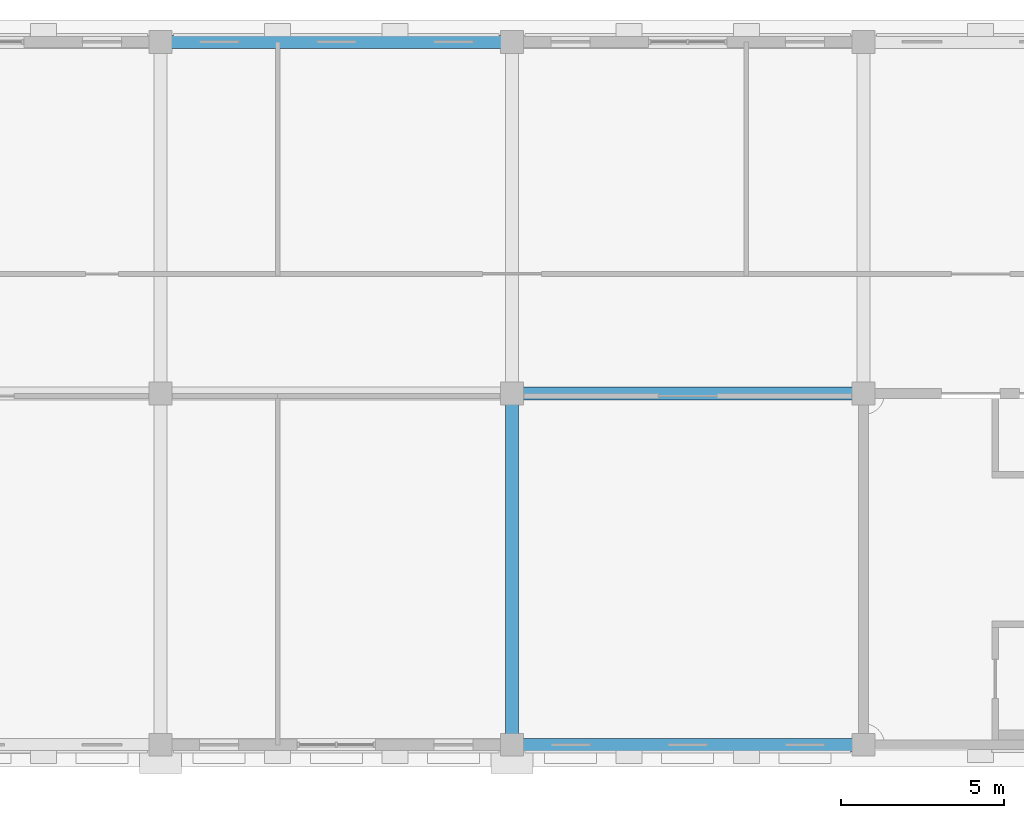
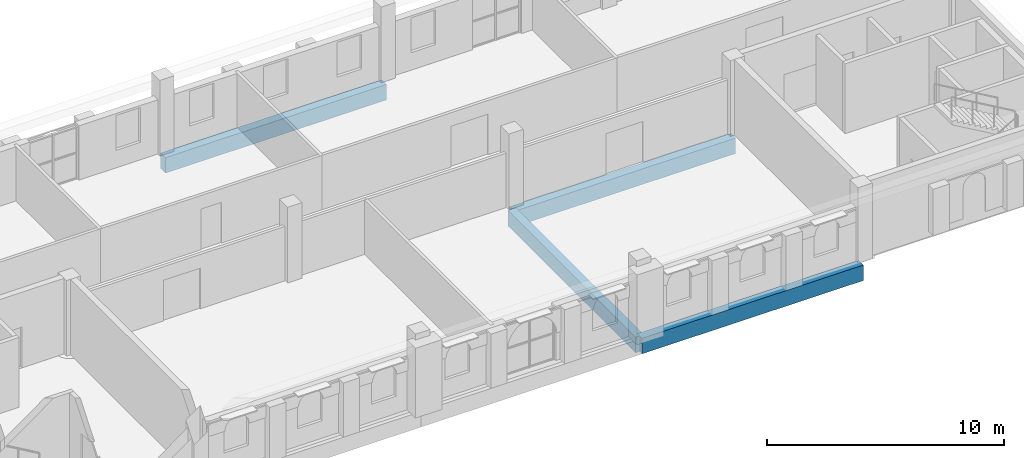
# One storey, part 5 of 17: 4 beams.
"""IFC4 building model written with IfcOpenShell, lengths in metres."""

from ifc_helpers import new_model, si_unit, direction, frame, origin, origin_2d, place, context, subcontext, project, spatial, rectangle, extrude, material, material_profile, profile_set, type_object, element, save


model = new_model("IFC4")

# Units and contexts
model_context = context("Model", 3, precision=1e-05, world=origin(), true_north=direction((0.0, 1.0)))
body_context = subcontext(model_context, "Body", "Model", "MODEL_VIEW")
ifc_project = project(units=[si_unit("LENGTHUNIT", "METRE"), si_unit("AREAUNIT", "SQUARE_METRE"), si_unit("VOLUMEUNIT", "CUBIC_METRE"), si_unit("PLANEANGLEUNIT", "RADIAN"), si_unit("MASSUNIT", "GRAM", prefix="KILO")], contexts=[model_context])

# Site, building, storey
site_placement = place(None, origin())
site = spatial("IfcSite", under=ifc_project, at=site_placement, CompositionType="ELEMENT")
building_placement = place(site_placement, origin())
building = spatial("IfcBuilding", under=site, at=building_placement, Name="Magnolia Steps Interchange", CompositionType="ELEMENT")
storey_placement = place(building_placement, frame((0.0, 0.0, 20.39990234375)))
storey = spatial("IfcBuildingStorey", under=building, at=storey_placement, Name="L05", CompositionType="ELEMENT", Elevation=20.39990234375)

# Beams
ifc_material = material(Name="Concrete C40", Category="concrete")
ifc_material_profile = material_profile(ifc_material, rectangle(XDim=0.39990234375, YDim=0.800048828125, at=origin_2d()), Name="RC400x800")
ifc_profile_set = profile_set([ifc_material_profile], Name="Concrete C40")
beam_type = type_object("IfcBeamType", Name="RC beam 400x800", PredefinedType="BEAM", material=ifc_profile_set)
for number, where, z_axis, x_axis, name in (
    (1, (96.39990234375, 96.39990234375, -0.699951171875), (1.0, 0.0, 0.0), (0.0, 1.0, 0.0), "Beam L05 I 9-10"),
    (2, (96.39990234375, 107.199951171875, -0.699951171875), (1.0, 0.0, 0.0), (0.0, 1.0, 0.0), "Beam L05 J 9-10"),
):
    element("IfcBeam", number, at=place(storey_placement, frame(where, z_axis=z_axis, x_axis=x_axis)), inside=storey, type_object=beam_type, Name=name, PredefinedType="BEAM", context=body_context, shape_type="SweptSolid", body=[
        extrude(rectangle(XDim=0.39990234375, YDim=0.800048828125, at=origin_2d()), origin(), (0.0, 0.0, 1.0), 10.800048828125),
    ])
beam_1_placement = place(storey_placement, frame((85.60009765625, 118.0, -0.699951171875), z_axis=(1.0, 0.0, 0.0), x_axis=(0.0, 1.0, 0.0)))
element("IfcBeam", 3, at=beam_1_placement, inside=storey, type_object=beam_type, Name="Beam L05 K 8-9", PredefinedType="BEAM", context=body_context, shape_type="SweptSolid", body=[
    extrude(rectangle(XDim=0.39990234375, YDim=0.800048828125, at=origin_2d()), origin(), (0.0, 0.0, 1.0), 10.7998046875),
])
beam_2_placement = place(storey_placement, frame((96.39990234375, 96.39990234375, -0.699951171875), z_axis=(0.0, 1.0, 0.0), x_axis=(-1.0, 0.0, 0.0)))
element("IfcBeam", 4, at=beam_2_placement, inside=storey, type_object=beam_type, Name="Beam L05 9 I-J", PredefinedType="BEAM", context=body_context, shape_type="SweptSolid", body=[
    extrude(rectangle(XDim=0.39990234375, YDim=0.800048828125, at=origin_2d()), origin(), (0.0, 0.0, 1.0), 10.800048828125),
])

save(model, "model.ifc")
